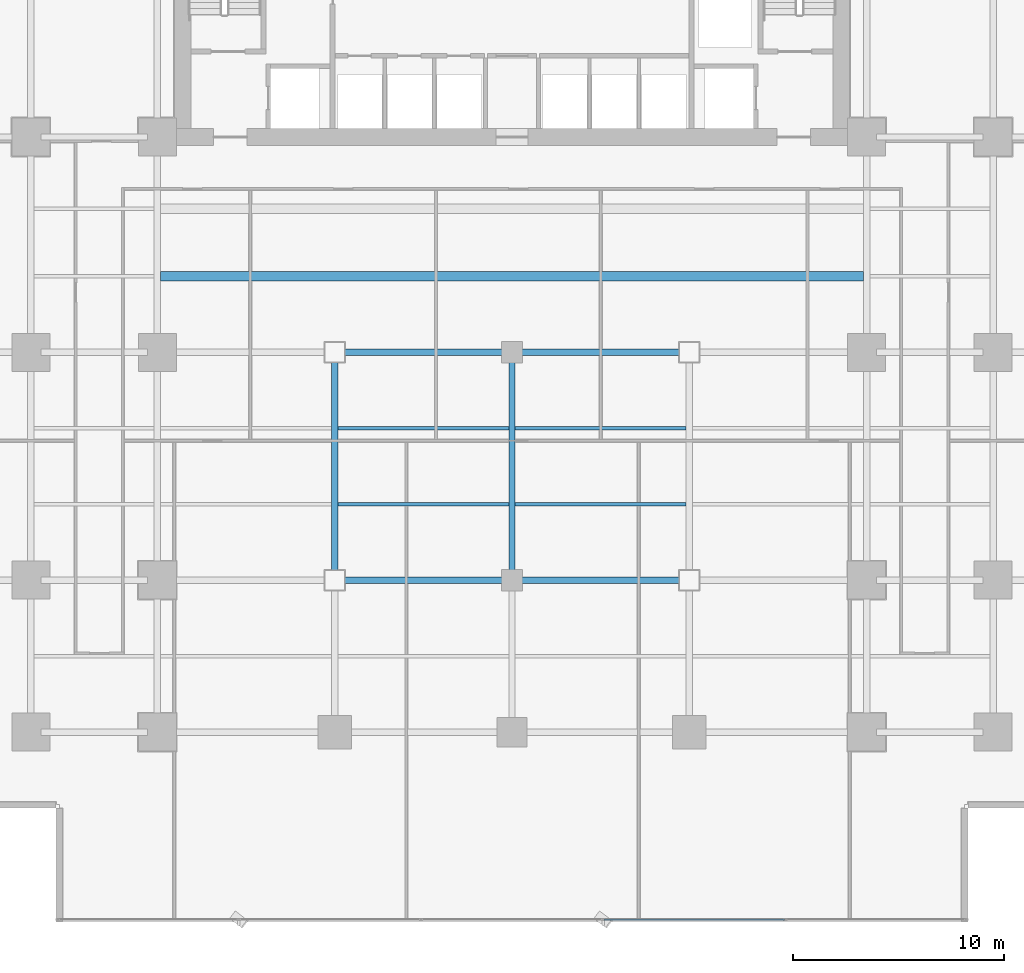
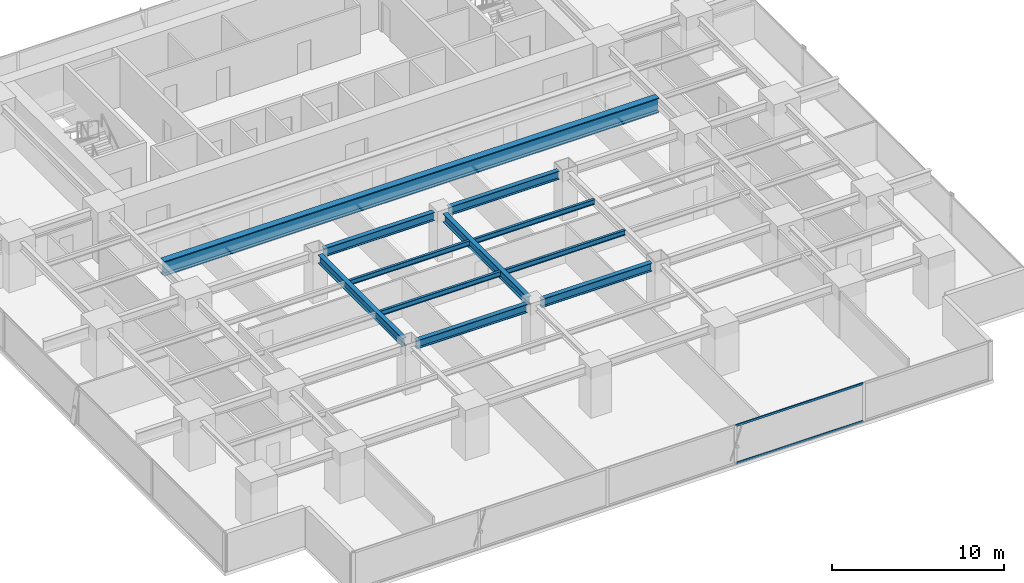
# One storey, part 10 of 33: 11 beams, 2 members, 1 element without a shape of its own.
"""IFC4 building model written with IfcOpenShell, lengths in metres."""

from ifc_helpers import new_model, si_unit, direction, frame, origin, origin_2d, place, context, subcontext, project, spatial, hollow_rectangle, i_section, extrude, source, transform, mapped, material, layer, layer_set, material_profile, profile_set, type_object, element, aggregate, save


model = new_model("IFC4")

# Units and contexts
model_context = context("Model", 3, precision=1e-05, world=origin(), true_north=direction((0.0, 1.0)))
body_context = subcontext(model_context, "Body", "Model", "MODEL_VIEW")
ifc_project = project(units=[si_unit("LENGTHUNIT", "METRE"), si_unit("AREAUNIT", "SQUARE_METRE"), si_unit("VOLUMEUNIT", "CUBIC_METRE"), si_unit("PLANEANGLEUNIT", "RADIAN"), si_unit("MASSUNIT", "GRAM", prefix="KILO")], contexts=[model_context])

# Site, building, storey
site_placement = place(None, origin())
site = spatial("IfcSite", under=ifc_project, at=site_placement, CompositionType="ELEMENT")
building_placement = place(site_placement, origin())
building = spatial("IfcBuilding", under=site, at=building_placement, Name="Sumidabori Civic Tower", CompositionType="ELEMENT")
storey_placement = place(building_placement, frame((0.0, 0.0, 30.800048828125)))
storey = spatial("IfcBuildingStorey", under=building, at=storey_placement, Name="L07", CompositionType="ELEMENT", Elevation=30.800048828125)

# Beams
ifc_material_1 = material(Name="Steel SN490", Category="steel")
ifc_material_profile_1 = material_profile(ifc_material_1, i_section(OverallWidth=0.300048828125, OverallDepth=0.60009765625, WebThickness=0.015380859375, FlangeThickness=0.030029296875, at=origin_2d()), Name="HE 600 B")
ifc_profile_set_1 = profile_set([ifc_material_profile_1], Name="Steel SN490")
beam_type_1 = type_object("IfcBeamType", Name="BM-GIRD-600", PredefinedType="BEAM", material=ifc_profile_set_1)
shared_shape_1 = source(origin(), body_context, "Body", "SweptSolid", [
    extrude(i_section(OverallWidth=0.300048828125, OverallDepth=0.60009765625, WebThickness=0.015380859375, FlangeThickness=0.030029296875, at=origin_2d()), origin(), (0.0, 0.0, 1.0), 7.43994140625),
])
for number, where, z_axis, x_axis, name in (
    (1, (-7.919921875, -10.800048828125, 3.06005859375), (1.0, 0.0, 0.0), (0.0, 1.0, 0.0), "Primary Girder L07 GX-09"),
    (2, (0.47998046875, -10.800048828125, 3.06005859375), (1.0, 0.0, 0.0), (0.0, 1.0, 0.0), "Primary Girder L07 GX-10"),
    (3, (-7.919921875, 0.0, 3.06005859375), (1.0, 0.0, 0.0), (0.0, 1.0, 0.0), "Primary Girder L07 GX-15"),
    (4, (0.47998046875, 0.0, 3.06005859375), (1.0, 0.0, 0.0), (0.0, 1.0, 0.0), "Primary Girder L07 GX-16"),
):
    element("IfcBeam", number, at=place(storey_placement, frame(where, z_axis=z_axis, x_axis=x_axis)), inside=storey, type_object=beam_type_1, Name=name, PredefinedType="BEAM", context=body_context, shape_type="MappedRepresentation", body=[
        mapped(shared_shape_1, transform((0.0, 0.0, 0.0), x_axis=(1.0, 0.0, 0.0), y_axis=(0.0, 1.0, 0.0), z_axis=(0.0, 0.0, 1.0), scale=1.0)),
    ])
shared_shape_2 = source(origin(), body_context, "Body", "SweptSolid", [
    extrude(i_section(OverallWidth=0.300048828125, OverallDepth=0.60009765625, WebThickness=0.015380859375, FlangeThickness=0.030029296875, at=origin_2d()), origin(), (0.0, 0.0, 1.0), 9.840087890625),
])
for number, where, z_axis, x_axis, name in (
    (5, (-8.39990234375, -10.320068359375, 3.06005859375), (0.0, 1.0, 0.0), (-1.0, 0.0, 0.0), "Primary Girder L07 GY-30"),
    (6, (0.0, -10.320068359375, 3.06005859375), (0.0, 1.0, 0.0), (-1.0, 0.0, 0.0), "Primary Girder L07 GY-32"),
):
    element("IfcBeam", number, at=place(storey_placement, frame(where, z_axis=z_axis, x_axis=x_axis)), inside=storey, type_object=beam_type_1, Name=name, PredefinedType="BEAM", context=body_context, shape_type="MappedRepresentation", body=[
        mapped(shared_shape_2, transform((0.0, 0.0, 0.0), x_axis=(1.0, 0.0, 0.0), y_axis=(0.0, 1.0, 0.0), z_axis=(0.0, 0.0, 1.0), scale=1.0)),
    ])
ifc_material_2 = material(Name="Steel SM570", Category="steel")
ifc_material_profile_2 = material_profile(ifc_material_2, i_section(OverallWidth=0.446044921875, OverallDepth=1.0439453125, WebThickness=0.035888671875, FlangeThickness=0.06396484375, at=origin_2d()), Name="W36X652")
ifc_profile_set_2 = profile_set([ifc_material_profile_2], Name="Steel SM570")
beam_type_2 = type_object("IfcBeamType", Name="BM-HEAVY-W36A", PredefinedType="BEAM", material=ifc_profile_set_2)
shared_shape_3 = source(origin(), body_context, "Body", "SweptSolid", [
    extrude(i_section(OverallWidth=0.446044921875, OverallDepth=1.0439453125, WebThickness=0.035888671875, FlangeThickness=0.06396484375, at=origin_2d()), origin(), (0.0, 0.0, 1.0), 33.2998046875),
])
beam_placement = place(storey_placement, frame((-16.64990234375, 3.60009765625, 2.837890625), z_axis=(1.0, 0.0, 0.0), x_axis=(0.0, 1.0, 0.0)))
element("IfcBeam", 7, at=beam_placement, inside=storey, type_object=beam_type_2, Name="North Bay Floor Beam L07 JSTN-59", PredefinedType="BEAM", context=body_context, shape_type="MappedRepresentation", body=[
    mapped(shared_shape_3, transform((0.0, 0.0, 0.0), x_axis=(1.0, 0.0, 0.0), y_axis=(0.0, 1.0, 0.0), z_axis=(0.0, 0.0, 1.0), scale=1.0)),
])
ifc_material_profile_3 = material_profile(ifc_material_1, i_section(OverallWidth=0.169921875, OverallDepth=0.360107421875, WebThickness=0.008056640625, FlangeThickness=0.0126953125, at=origin_2d()), Name="IPE 360")
ifc_profile_set_3 = profile_set([ifc_material_profile_3], Name="Steel SN490")
beam_type_3 = type_object("IfcBeamType", Name="BM-JST-360", PredefinedType="JOIST", material=ifc_profile_set_3)
shared_shape_4 = source(origin(), body_context, "Body", "SweptSolid", [
    extrude(i_section(OverallWidth=0.169921875, OverallDepth=0.360107421875, WebThickness=0.008056640625, FlangeThickness=0.0126953125, at=origin_2d()), origin(), (0.0, 0.0, 1.0), 8.10009765625),
])
for number, where, z_axis, x_axis, name in (
    (8, (-8.25, -7.199951171875, 3.179931640625), (1.0, 0.0, 0.0), (0.0, 1.0, 0.0), "South Bay Floor Joist L07 JSTS-66"),
    (9, (0.14990234375, -7.199951171875, 3.179931640625), (1.0, 0.0, 0.0), (0.0, 1.0, 0.0), "South Bay Floor Joist L07 JSTS-67"),
    (10, (-8.25, -3.60009765625, 3.179931640625), (1.0, 0.0, 0.0), (0.0, 1.0, 0.0), "South Bay Floor Joist L07 JSTS-70"),
    (11, (0.14990234375, -3.60009765625, 3.179931640625), (1.0, 0.0, 0.0), (0.0, 1.0, 0.0), "South Bay Floor Joist L07 JSTS-71"),
):
    element("IfcBeam", number, at=place(storey_placement, frame(where, z_axis=z_axis, x_axis=x_axis)), inside=storey, type_object=beam_type_3, Name=name, PredefinedType="JOIST", context=body_context, shape_type="MappedRepresentation", body=[
        mapped(shared_shape_4, transform((0.0, 0.0, 0.0), x_axis=(1.0, 0.0, 0.0), y_axis=(0.0, 1.0, 0.0), z_axis=(0.0, 0.0, 1.0), scale=1.0)),
    ])

# Curtain wall, members
ifc_material_3 = material(Name="Anodised Bronze Aluminium AW-6063-T6", Category="aluminium")
ifc_layer = layer(ifc_material_3, 0.179931640625, Name="Anodised Bronze Aluminium AW-6063-T6")
ifc_layer_set = layer_set([ifc_layer], Name="Anodised Bronze Aluminium AW-6063-T6")
curtain_wall_type = type_object("IfcCurtainWallType", Name="CW-SYS-2", PredefinedType="NOTDEFINED", material=ifc_layer_set)
curtain_wall_placement = place(storey_placement, origin())
curtain_wall = element("IfcCurtainWall", 12, at=curtain_wall_placement, inside=storey, type_object=curtain_wall_type, Name="Curtain Wall CW:L07:R01", PredefinedType="NOTDEFINED")
ifc_material_profile_4 = material_profile(ifc_material_3, hollow_rectangle(XDim=0.06494140625, YDim=0.14990234375, WallThickness=0.0048828125, at=origin_2d()), Name="ALU TRANSOM 150x65")
ifc_profile_set_4 = profile_set([ifc_material_profile_4], Name="Anodised Bronze Aluminium AW-6063-T6")
member_type = type_object("IfcMemberType", Name="CW-TRN-150", PredefinedType="USERDEFINED", material=ifc_profile_set_4)
shared_shape_5 = source(origin(), body_context, "Body", "SweptSolid", [
    extrude(hollow_rectangle(XDim=0.06494140625, YDim=0.14990234375, WallThickness=0.0048828125, at=origin_2d()), origin(), (0.0, 0.0, 1.0), 8.557861328125),
])
member_1_placement = place(storey_placement, frame((4.34912109375, -26.8798828125, 0.032470703125), z_axis=(1.0, 0.0, 0.0), x_axis=(0.0, 1.0, 0.0)))
member_1 = element("IfcMember", 13, at=member_1_placement, type_object=member_type, Name="CW-2 transom 4.1", ObjectType="TRANSOM", PredefinedType="USERDEFINED", context=body_context, shape_type="MappedRepresentation", body=[
    mapped(shared_shape_5, transform((0.0, 0.0, 0.0), x_axis=(1.0, 0.0, 0.0), y_axis=(0.0, 1.0, 0.0), z_axis=(0.0, 0.0, 1.0), scale=1.0)),
])
member_2_placement = place(storey_placement, frame((4.34912109375, -26.8798828125, 2.70751953125), z_axis=(1.0, 0.0, 0.0), x_axis=(0.0, 1.0, 0.0)))
member_2 = element("IfcMember", 14, at=member_2_placement, type_object=member_type, Name="CW-2 transom 4.2", ObjectType="TRANSOM", PredefinedType="USERDEFINED", context=body_context, shape_type="MappedRepresentation", body=[
    mapped(shared_shape_5, transform((0.0, 0.0, 0.0), x_axis=(1.0, 0.0, 0.0), y_axis=(0.0, 1.0, 0.0), z_axis=(0.0, 0.0, 1.0), scale=1.0)),
])
aggregate(curtain_wall, [member_1, member_2])

save(model, "model.ifc")
